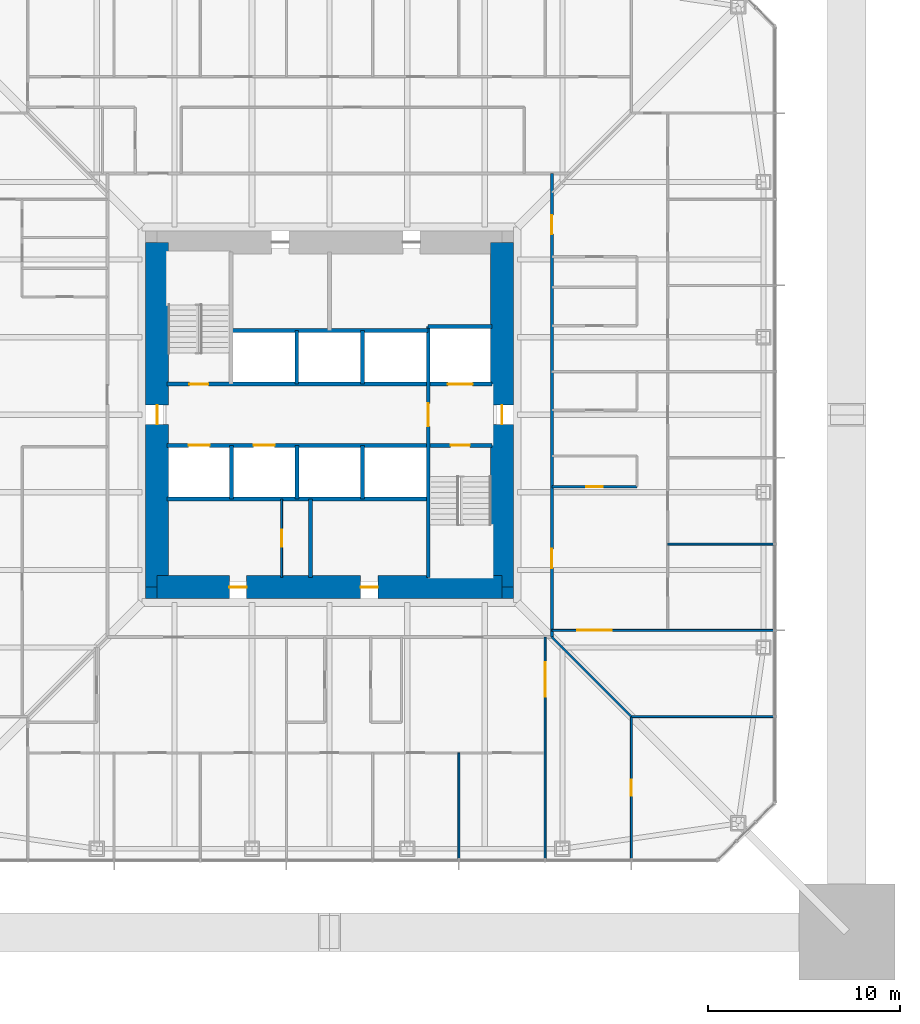
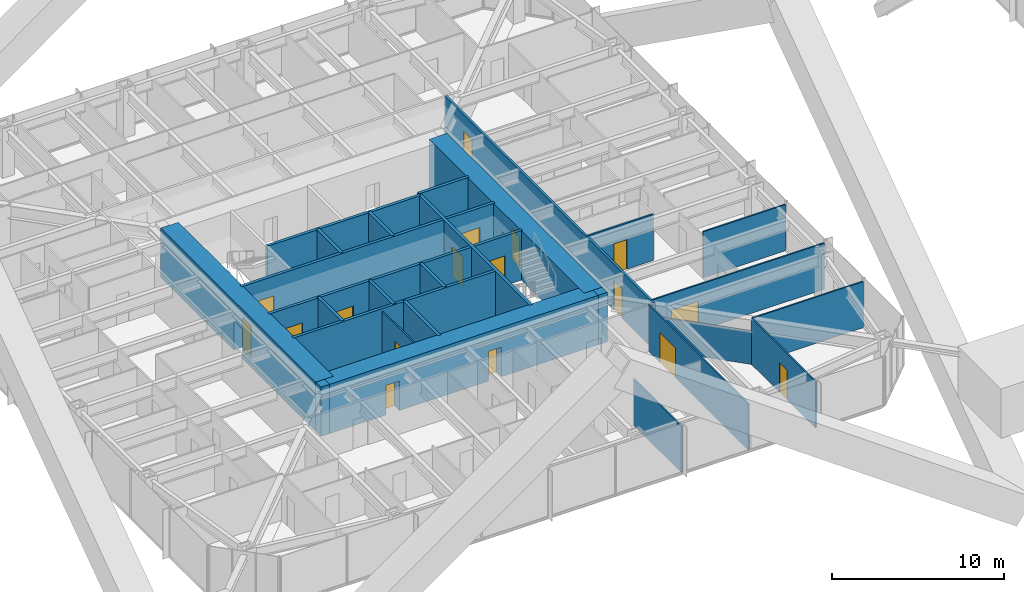
# One storey, part 17 of 28: 27 walls, 17 doors, 17 openings.
"""IFC4 building model written with IfcOpenShell, lengths in metres."""

from ifc_helpers import new_model, si_unit, direction, frame, frame_2d, origin, place, context, subcontext, project, spatial, rectangle, extrude, material, layer, layer_set, type_object, element, fill, save


model = new_model("IFC4")

# Units and contexts
model_context = context("Model", 3, precision=1e-05, world=origin(), true_north=direction((0.0, 1.0)))
body_context = subcontext(model_context, "Body", "Model", "MODEL_VIEW")
ifc_project = project(units=[si_unit("LENGTHUNIT", "METRE"), si_unit("AREAUNIT", "SQUARE_METRE"), si_unit("VOLUMEUNIT", "CUBIC_METRE"), si_unit("PLANEANGLEUNIT", "RADIAN"), si_unit("MASSUNIT", "GRAM", prefix="KILO")], contexts=[model_context])

# Site, building, storey
site_placement = place(None, origin())
site = spatial("IfcSite", under=ifc_project, at=site_placement, CompositionType="ELEMENT")
building_placement = place(site_placement, origin())
building = spatial("IfcBuilding", under=site, at=building_placement, Name="Iwan Alto Co-Living Towers", CompositionType="ELEMENT")
storey_placement = place(building_placement, frame((0.0, 0.0, 43.0)))
storey = spatial("IfcBuildingStorey", under=building, at=storey_placement, Name="L11", CompositionType="ELEMENT", Elevation=43.0)

# Wall, openings, doors
ifc_material_1 = material(Name="Gypsum board")
ifc_layer_1 = layer(ifc_material_1, 0.02490234375, Name="Board", Category="Finish")
ifc_material_2 = material(Name="Steel ASTM A1003 ST33H cold-formed studs", Category="steel")
ifc_layer_2 = layer(ifc_material_2, 0.10009765625, Name="Studs", Category="Framing")
ifc_layer_3 = layer(ifc_material_1, 0.02490234375, Name="Board", Category="Finish")
ifc_layer_set_1 = layer_set([ifc_layer_1, ifc_layer_2, ifc_layer_3], Name="CORRIDOR WALL 150")
wall_type_1 = type_object("IfcWallType", Name="CORRIDOR WALL 150", PredefinedType="PARTITIONING", material=ifc_layer_set_1)
wall_1_placement = place(storey_placement, frame((11.60009765625, -11.60009765625, 0.0), z_axis=(0.0, 0.0, 1.0), x_axis=(0.0, 1.0, 0.0)))
wall_1 = element("IfcWall", 1, at=wall_1_placement, inside=storey, type_object=wall_type_1, Name="Partition L11", PredefinedType="PARTITIONING", context=body_context, shape_type="SweptSolid", body=[
    extrude(rectangle(XDim=24.2001953125, YDim=0.14990234375, at=frame_2d((12.10009765625, 0.0))), origin(), (0.0, 0.0, 1.0), 3.27001953125),
])
opening_1_placement = place(wall_1_placement, frame((3.60009765625, 0.0, 0.0)))
opening_1 = element("IfcOpeningElement", 2, at=opening_1_placement, cuts=wall_1, Name="Opening D3", PredefinedType="OPENING", context=body_context, shape_type="SweptSolid", body=[
    extrude(rectangle(XDim=1.0, YDim=2.10009765625, at=frame_2d((0.5, 1.050048828125))), frame((0.0, 0.0849609375, 0.0), z_axis=(0.0, -1.0, 0.0), x_axis=(1.0, 0.0, 0.0)), (0.0, 0.0, 1.0), 0.169921875),
])
opening_2_placement = place(wall_1_placement, frame((21.02490234375, 0.0, 0.0)))
opening_2 = element("IfcOpeningElement", 3, at=opening_2_placement, cuts=wall_1, Name="Opening D3", PredefinedType="OPENING", context=body_context, shape_type="SweptSolid", body=[
    extrude(rectangle(XDim=1.0, YDim=2.10009765625, at=frame_2d((0.5, 1.050048828125))), frame((0.0, 0.0849609375, 0.0), z_axis=(0.0, -1.0, 0.0), x_axis=(1.0, 0.0, 0.0)), (0.0, 0.0, 1.0), 0.169921875),
])
ifc_material_3 = material(Name="Steel frame with timber leaf", Category="steel")
door_type_1 = type_object("IfcDoorType", Name="FLAT ENTRANCE DOOR FD30S 1000X2100", OperationType="SINGLE_SWING_LEFT", PredefinedType="DOOR", material=ifc_material_3)
door_1_placement = place(opening_1_placement, frame((1.0, 0.0, 0.0), z_axis=(0.0, 0.0, 1.0), x_axis=(-1.0, 0.0, 0.0)))
door_1 = element("IfcDoor", 4, at=door_1_placement, inside=storey, type_object=door_type_1, Name="Cluster lounge and shared kitchen door L11", OperationType="SINGLE_SWING_RIGHT", OverallHeight=2.10009765625, OverallWidth=1.0, PredefinedType="DOOR", context=body_context, shape_type="SweptSolid", body=[
    extrude(rectangle(XDim=1.0, YDim=2.10009765625, at=frame_2d((0.5, 1.050048828125))), frame((0.0, 0.02490234375, 0.0), z_axis=(0.0, -1.0, 0.0), x_axis=(1.0, 0.0, 0.0)), (0.0, 0.0, 1.0), 0.050048828125),
])
fill(opening_1, door_1)
door_2_placement = place(opening_2_placement, frame((1.0, 0.0, 0.0), z_axis=(0.0, 0.0, 1.0), x_axis=(-1.0, 0.0, 0.0)))
door_2 = element("IfcDoor", 5, at=door_2_placement, inside=storey, type_object=door_type_1, Name="Cluster lounge door L11", OperationType="SINGLE_SWING_RIGHT", OverallHeight=2.10009765625, OverallWidth=1.0, PredefinedType="DOOR", context=body_context, shape_type="SweptSolid", body=[
    extrude(rectangle(XDim=1.0, YDim=2.10009765625, at=frame_2d((0.5, 1.050048828125))), frame((0.0, 0.02490234375, 0.0), z_axis=(0.0, -1.0, 0.0), x_axis=(1.0, 0.0, 0.0)), (0.0, 0.0, 1.0), 0.050048828125),
])
fill(opening_2, door_2)

# Wall
ifc_layer_4 = layer(ifc_material_1, 0.012451171875, Name="Board", Category="Finish")
ifc_layer_5 = layer(ifc_material_2, 0.074951171875, Name="Studs", Category="Framing")
ifc_layer_6 = layer(ifc_material_1, 0.012451171875, Name="Board", Category="Finish")
ifc_layer_set_2 = layer_set([ifc_layer_4, ifc_layer_5, ifc_layer_6], Name="PARTITION 100")
wall_type_2 = type_object("IfcWallType", Name="PARTITION 100", PredefinedType="PARTITIONING", material=ifc_layer_set_2)
wall_2_placement = place(storey_placement, frame((15.75, -15.75, 0.0), z_axis=(0.0, 0.0, 1.0), x_axis=(1.0, 0.0, 0.0)))
element("IfcWall", 6, at=wall_2_placement, inside=storey, type_object=wall_type_2, Name="Partition L11", PredefinedType="PARTITIONING", context=body_context, shape_type="SweptSolid", body=[
    extrude(rectangle(XDim=7.43994140625, YDim=0.10009765625, at=frame_2d((3.719970703125, 0.0))), origin(), (0.0, 0.0, 1.0), 3.27001953125),
])

# Wall, opening, door
wall_3_placement = place(storey_placement, frame((11.60009765625, -11.25, 0.0), z_axis=(0.0, 0.0, 1.0), x_axis=(1.0, 0.0, 0.0)))
wall_3 = element("IfcWall", 7, at=wall_3_placement, inside=storey, type_object=wall_type_2, Name="Partition L11", PredefinedType="PARTITIONING", context=body_context, shape_type="SweptSolid", body=[
    extrude(rectangle(XDim=11.58984375, YDim=0.10009765625, at=frame_2d((5.794921875, 0.0))), origin(), (0.0, 0.0, 1.0), 3.27001953125),
])
opening_3_placement = place(wall_3_placement, frame((1.324951171875, 0.0, 0.0)))
opening_3 = element("IfcOpeningElement", 8, at=opening_3_placement, cuts=wall_3, Name="Opening D14", PredefinedType="OPENING", context=body_context, shape_type="SweptSolid", body=[
    extrude(rectangle(XDim=1.800048828125, YDim=2.10009765625, at=frame_2d((0.89990234375, 1.050048828125))), frame((0.0, 0.06005859375, 0.0), z_axis=(0.0, -1.0, 0.0), x_axis=(1.0, 0.0, 0.0)), (0.0, 0.0, 1.0), 0.1201171875),
])
ifc_material_4 = material(Name="Timber leaf in steel frame", Category="steel")
door_type_2 = type_object("IfcDoorType", Name="LOUNGE DOOR 1800X2100", OperationType="DOUBLE_DOOR_SINGLE_SWING", PredefinedType="DOOR", material=ifc_material_4)
door_3_placement = place(opening_3_placement, origin())
door_3 = element("IfcDoor", 9, at=door_3_placement, inside=storey, type_object=door_type_2, Name="Music practice room door L11", OperationType="DOUBLE_DOOR_SINGLE_SWING", OverallHeight=2.10009765625, OverallWidth=1.800048828125, PredefinedType="DOOR", context=body_context, shape_type="SweptSolid", body=[
    extrude(rectangle(XDim=1.800048828125, YDim=2.10009765625, at=frame_2d((0.89990234375, 1.050048828125))), frame((0.0, 0.02490234375, 0.0), z_axis=(0.0, -1.0, 0.0), x_axis=(1.0, 0.0, 0.0)), (0.0, 0.0, 1.0), 0.050048828125),
])
fill(opening_3, door_3)

# Wall
wall_4_placement = place(storey_placement, frame((17.64990234375, -6.75, 0.0), z_axis=(0.0, 0.0, 1.0), x_axis=(1.0, 0.0, 0.0)))
element("IfcWall", 10, at=wall_4_placement, inside=storey, type_object=wall_type_2, Name="Partition L11", PredefinedType="PARTITIONING", context=body_context, shape_type="SweptSolid", body=[
    extrude(rectangle(XDim=5.5400390625, YDim=0.10009765625, at=frame_2d((2.77001953125, 0.0))), origin(), (0.0, 0.0, 1.0), 3.27001953125),
])

# Wall, opening, door
wall_5_placement = place(storey_placement, frame((15.75, -23.18994140625, 0.0), z_axis=(0.0, 0.0, 1.0), x_axis=(0.0, 1.0, 0.0)))
wall_5 = element("IfcWall", 11, at=wall_5_placement, inside=storey, type_object=wall_type_2, Name="Partition L11", PredefinedType="PARTITIONING", context=body_context, shape_type="SweptSolid", body=[
    extrude(rectangle(XDim=7.43994140625, YDim=0.10009765625, at=frame_2d((3.719970703125, 0.0))), origin(), (0.0, 0.0, 1.0), 3.27001953125),
])
opening_4_placement = place(wall_5_placement, frame((3.294921875, 0.0, 0.0)))
opening_4 = element("IfcOpeningElement", 12, at=opening_4_placement, cuts=wall_5, Name="Opening D2", PredefinedType="OPENING", context=body_context, shape_type="SweptSolid", body=[
    extrude(rectangle(XDim=0.85009765625, YDim=2.10009765625, at=frame_2d((0.425048828125, 1.050048828125))), frame((0.0, 0.06005859375, 0.0), z_axis=(0.0, -1.0, 0.0), x_axis=(1.0, 0.0, 0.0)), (0.0, 0.0, 1.0), 0.1201171875),
])
ifc_material_5 = material(Name="Timber leaf in steel frame", Category="steel")
door_type_3 = type_object("IfcDoorType", Name="ROOM DOOR 850X2100", OperationType="SINGLE_SWING_LEFT", PredefinedType="DOOR", material=ifc_material_5)
door_4_placement = place(opening_4_placement, frame((0.85009765625, 0.0, 0.0), z_axis=(0.0, 0.0, 1.0), x_axis=(-1.0, 0.0, 0.0)))
door_4 = element("IfcDoor", 13, at=door_4_placement, inside=storey, type_object=door_type_3, Name="Shared kitchen and lounge door L11", OperationType="SINGLE_SWING_LEFT", OverallHeight=2.10009765625, OverallWidth=0.85009765625, PredefinedType="DOOR", context=body_context, shape_type="SweptSolid", body=[
    extrude(rectangle(XDim=0.85009765625, YDim=2.10009765625, at=frame_2d((0.425048828125, 1.050048828125))), frame((0.0, 0.02490234375, 0.0), z_axis=(0.0, -1.0, 0.0), x_axis=(1.0, 0.0, 0.0)), (0.0, 0.0, 1.0), 0.050048828125),
])
fill(opening_4, door_4)

wall_6_placement = place(storey_placement, frame((11.25, -23.18994140625, 0.0), z_axis=(0.0, 0.0, 1.0), x_axis=(0.0, 1.0, 0.0)))
wall_6 = element("IfcWall", 14, at=wall_6_placement, inside=storey, type_object=wall_type_2, Name="Partition L11", PredefinedType="PARTITIONING", context=body_context, shape_type="SweptSolid", body=[
    extrude(rectangle(XDim=11.58984375, YDim=0.10009765625, at=frame_2d((5.794921875, 0.0))), origin(), (0.0, 0.0, 1.0), 3.27001953125),
])
opening_5_placement = place(wall_6_placement, frame((8.465087890625, 0.0, 0.0)))
opening_5 = element("IfcOpeningElement", 15, at=opening_5_placement, cuts=wall_6, Name="Opening D14", PredefinedType="OPENING", context=body_context, shape_type="SweptSolid", body=[
    extrude(rectangle(XDim=1.800048828125, YDim=2.10009765625, at=frame_2d((0.89990234375, 1.050048828125))), frame((0.0, 0.06005859375, 0.0), z_axis=(0.0, -1.0, 0.0), x_axis=(1.0, 0.0, 0.0)), (0.0, 0.0, 1.0), 0.1201171875),
])
door_5_placement = place(opening_5_placement, origin())
door_5 = element("IfcDoor", 16, at=door_5_placement, inside=storey, type_object=door_type_2, Name="Games room door L11", OperationType="DOUBLE_DOOR_SINGLE_SWING", OverallHeight=2.10009765625, OverallWidth=1.800048828125, PredefinedType="DOOR", context=body_context, shape_type="SweptSolid", body=[
    extrude(rectangle(XDim=1.800048828125, YDim=2.10009765625, at=frame_2d((0.89990234375, 1.050048828125))), frame((0.0, 0.02490234375, 0.0), z_axis=(0.0, -1.0, 0.0), x_axis=(1.0, 0.0, 0.0)), (0.0, 0.0, 1.0), 0.050048828125),
])
fill(opening_5, door_5)

# Wall
wall_7_placement = place(storey_placement, frame((6.75, -23.18994140625, 0.0), z_axis=(0.0, 0.0, 1.0), x_axis=(0.0, 1.0, 0.0)))
element("IfcWall", 17, at=wall_7_placement, inside=storey, type_object=wall_type_2, Name="Partition L11", PredefinedType="PARTITIONING", context=body_context, shape_type="SweptSolid", body=[
    extrude(rectangle(XDim=5.5400390625, YDim=0.10009765625, at=frame_2d((2.77001953125, 0.0))), origin(), (0.0, 0.0, 1.0), 3.27001953125),
])

# Wall, opening, door
wall_8_placement = place(storey_placement, frame((-2.5, -8.489990234375, 0.0), z_axis=(0.0, 0.0, 1.0), x_axis=(0.0, 1.0, 0.0)))
wall_8 = element("IfcWall", 18, at=wall_8_placement, inside=storey, type_object=wall_type_2, Name="Partition L11", PredefinedType="PARTITIONING", context=body_context, shape_type="SweptSolid", body=[
    extrude(rectangle(XDim=4.090087890625, YDim=0.10009765625, at=frame_2d((2.044921875, 0.0))), origin(), (0.0, 0.0, 1.0), 3.300048828125),
])
opening_6_placement = place(wall_8_placement, frame((1.594970703125, 0.0, 0.0)))
opening_6 = element("IfcOpeningElement", 19, at=opening_6_placement, cuts=wall_8, Name="Opening D16", PredefinedType="OPENING", context=body_context, shape_type="SweptSolid", body=[
    extrude(rectangle(XDim=0.89990234375, YDim=2.10009765625, at=frame_2d((0.449951171875, 1.050048828125))), frame((0.0, 0.06005859375, 0.0), z_axis=(0.0, -1.0, 0.0), x_axis=(1.0, 0.0, 0.0)), (0.0, 0.0, 1.0), 0.1201171875),
])
ifc_material_6 = material(Name="Timber leaf in steel frame", Category="steel")
door_type_4 = type_object("IfcDoorType", Name="CUPBOARD SLIDING DOOR 900X2100", OperationType="SLIDING_TO_LEFT", PredefinedType="DOOR", material=ifc_material_6)
door_6_placement = place(opening_6_placement, origin())
door_6 = element("IfcDoor", 20, at=door_6_placement, inside=storey, type_object=door_type_4, Name="Bulky waste store door L11", OperationType="SLIDING_TO_LEFT", OverallHeight=2.10009765625, OverallWidth=0.89990234375, PredefinedType="DOOR", context=body_context, shape_type="SweptSolid", body=[
    extrude(rectangle(XDim=0.89990234375, YDim=2.10009765625, at=frame_2d((0.449951171875, 1.050048828125))), frame((0.0, 0.02490234375, 0.0), z_axis=(0.0, -1.0, 0.0), x_axis=(1.0, 0.0, 0.0)), (0.0, 0.0, 1.0), 0.050048828125),
])
fill(opening_6, door_6)

# Walls
wall_9_placement = place(storey_placement, frame((15.75, -15.75, 0.0), z_axis=(0.0, 0.0, 1.0), x_axis=(-0.707106781187, 0.707106781187, 0.0)))
element("IfcWall", 21, at=wall_9_placement, inside=storey, type_object=wall_type_2, Name="Partition L11", PredefinedType="PARTITIONING", context=body_context, shape_type="SweptSolid", body=[
    extrude(rectangle(XDim=5.868896484375, YDim=0.10009765625, at=frame_2d((2.9345703125, 0.0))), origin(), (0.0, 0.0, 1.0), 2.343017578125),
])
ifc_material_7 = material(Name="Concrete f'c 70 MPa", Category="concrete")
ifc_layer_7 = layer(ifc_material_7, 0.199951171875)
ifc_layer_set_3 = layer_set([ifc_layer_7], Name="SHAFT WALL 200")
wall_type_3 = type_object("IfcWallType", Name="SHAFT WALL 200", PredefinedType="SOLIDWALL", material=ifc_layer_set_3)
wall_10_placement = place(storey_placement, frame((-8.489990234375, -4.39990234375, 0.0), z_axis=(0.0, 0.0, 1.0), x_axis=(1.0, 0.0, 0.0)))
element("IfcWall", 22, at=wall_10_placement, inside=storey, type_object=wall_type_3, Name="Shaft wall L11", PredefinedType="SOLIDWALL", context=body_context, shape_type="SweptSolid", body=[
    extrude(rectangle(XDim=13.639892578125, YDim=0.199951171875, at=frame_2d((6.81982421875, 0.0))), origin(), (0.0, 0.0, 1.0), 3.5),
])

# Wall, openings, doors
wall_11_placement = place(storey_placement, frame((-8.489990234375, -1.60009765625, 0.0), z_axis=(0.0, 0.0, 1.0), x_axis=(1.0, 0.0, 0.0)))
wall_11 = element("IfcWall", 23, at=wall_11_placement, inside=storey, type_object=wall_type_3, Name="Shaft wall L11", PredefinedType="SOLIDWALL", context=body_context, shape_type="SweptSolid", body=[
    extrude(rectangle(XDim=16.97998046875, YDim=0.199951171875, at=frame_2d((8.489990234375, 0.0))), origin(), (0.0, 0.0, 1.0), 3.5),
])
opening_7_placement = place(wall_11_placement, frame((14.81005859375, 0.0, 0.0)))
opening_7 = element("IfcOpeningElement", 24, at=opening_7_placement, cuts=wall_11, Name="Opening D5", PredefinedType="OPENING", context=body_context, shape_type="SweptSolid", body=[
    extrude(rectangle(XDim=1.0, YDim=2.10009765625, at=frame_2d((0.5, 1.050048828125))), frame((0.0, 0.10986328125, 0.0), z_axis=(0.0, -1.0, 0.0), x_axis=(1.0, 0.0, 0.0)), (0.0, 0.0, 1.0), 0.219970703125),
])
opening_8_placement = place(wall_11_placement, frame((1.133056640625, 0.0, 0.0)))
opening_8 = element("IfcOpeningElement", 25, at=opening_8_placement, cuts=wall_11, Name="Opening LD", PredefinedType="OPENING", context=body_context, shape_type="SweptSolid", body=[
    extrude(rectangle(XDim=1.10009765625, YDim=2.10009765625, at=frame_2d((0.550048828125, 1.050048828125))), frame((0.0, 0.10986328125, 0.0), z_axis=(0.0, -1.0, 0.0), x_axis=(1.0, 0.0, 0.0)), (0.0, 0.0, 1.0), 0.219970703125),
])
opening_9_placement = place(wall_11_placement, frame((4.528076171875, 0.0, 0.0)))
opening_9 = element("IfcOpeningElement", 26, at=opening_9_placement, cuts=wall_11, Name="Opening LD", PredefinedType="OPENING", context=body_context, shape_type="SweptSolid", body=[
    extrude(rectangle(XDim=1.10009765625, YDim=2.10009765625, at=frame_2d((0.550048828125, 1.050048828125))), frame((0.0, 0.10986328125, 0.0), z_axis=(0.0, -1.0, 0.0), x_axis=(1.0, 0.0, 0.0)), (0.0, 0.0, 1.0), 0.219970703125),
])
ifc_material_8 = material(Name="Steel frame with timber leaf", Category="steel")
door_type_5 = type_object("IfcDoorType", Name="LIFT LANDING DOOR 1100X2100", OperationType="DOUBLE_DOOR_SLIDING", PredefinedType="DOOR", material=ifc_material_8)
door_7_placement = place(opening_8_placement, origin())
door_7 = element("IfcDoor", 27, at=door_7_placement, inside=storey, type_object=door_type_5, Name="Lift P1-1 landing door L11", OperationType="DOUBLE_DOOR_SLIDING", OverallHeight=2.10009765625, OverallWidth=1.10009765625, PredefinedType="DOOR", context=body_context, shape_type="SweptSolid", body=[
    extrude(rectangle(XDim=1.10009765625, YDim=2.10009765625, at=frame_2d((0.550048828125, 1.050048828125))), frame((0.0, 0.02490234375, 0.0), z_axis=(0.0, -1.0, 0.0), x_axis=(1.0, 0.0, 0.0)), (0.0, 0.0, 1.0), 0.050048828125),
])
fill(opening_8, door_7)
door_8_placement = place(opening_9_placement, origin())
door_8 = element("IfcDoor", 28, at=door_8_placement, inside=storey, type_object=door_type_5, Name="Lift P1-2 landing door L11", OperationType="DOUBLE_DOOR_SLIDING", OverallHeight=2.10009765625, OverallWidth=1.10009765625, PredefinedType="DOOR", context=body_context, shape_type="SweptSolid", body=[
    extrude(rectangle(XDim=1.10009765625, YDim=2.10009765625, at=frame_2d((0.550048828125, 1.050048828125))), frame((0.0, 0.02490234375, 0.0), z_axis=(0.0, -1.0, 0.0), x_axis=(1.0, 0.0, 0.0)), (0.0, 0.0, 1.0), 0.050048828125),
])
fill(opening_9, door_8)
ifc_material_9 = material(Name="Steel frame with timber leaf", Category="steel")
door_type_6 = type_object("IfcDoorType", Name="STAIR DOOR FD120S 1000X2100", OperationType="SINGLE_SWING_LEFT", PredefinedType="DOOR", material=ifc_material_9)
door_9_placement = place(opening_7_placement, frame((1.0, 0.0, 0.0), z_axis=(0.0, 0.0, 1.0), x_axis=(-1.0, 0.0, 0.0)))
door_9 = element("IfcDoor", 29, at=door_9_placement, inside=storey, type_object=door_type_6, Name="Stair S2 door L11", OperationType="SINGLE_SWING_RIGHT", OverallHeight=2.10009765625, OverallWidth=1.0, PredefinedType="DOOR", context=body_context, shape_type="SweptSolid", body=[
    extrude(rectangle(XDim=1.0, YDim=2.10009765625, at=frame_2d((0.5, 1.050048828125))), frame((0.0, 0.02490234375, 0.0), z_axis=(0.0, -1.0, 0.0), x_axis=(1.0, 0.0, 0.0)), (0.0, 0.0, 1.0), 0.050048828125),
])
fill(opening_7, door_9)

wall_12_placement = place(storey_placement, frame((-8.489990234375, 1.60009765625, 0.0), z_axis=(0.0, 0.0, 1.0), x_axis=(1.0, 0.0, 0.0)))
wall_12 = element("IfcWall", 30, at=wall_12_placement, inside=storey, type_object=wall_type_3, Name="Shaft wall L11", PredefinedType="SOLIDWALL", context=body_context, shape_type="SweptSolid", body=[
    extrude(rectangle(XDim=16.97998046875, YDim=0.199951171875, at=frame_2d((8.489990234375, 0.0))), origin(), (0.0, 0.0, 1.0), 3.5),
])
opening_10_placement = place(wall_12_placement, frame((1.169921875, 0.0, 0.0)))
opening_10 = element("IfcOpeningElement", 31, at=opening_10_placement, cuts=wall_12, Name="Opening D5", PredefinedType="OPENING", context=body_context, shape_type="SweptSolid", body=[
    extrude(rectangle(XDim=1.0, YDim=2.10009765625, at=frame_2d((0.5, 1.050048828125))), frame((0.0, 0.10986328125, 0.0), z_axis=(0.0, -1.0, 0.0), x_axis=(1.0, 0.0, 0.0)), (0.0, 0.0, 1.0), 0.219970703125),
])
opening_11_placement = place(wall_12_placement, frame((14.659912109375, 0.0, 0.0)))
opening_11 = element("IfcOpeningElement", 32, at=opening_11_placement, cuts=wall_12, Name="Opening LD2", PredefinedType="OPENING", context=body_context, shape_type="SweptSolid", body=[
    extrude(rectangle(XDim=1.300048828125, YDim=2.10009765625, at=frame_2d((0.64990234375, 1.050048828125))), frame((0.0, 0.10986328125, 0.0), z_axis=(0.0, -1.0, 0.0), x_axis=(1.0, 0.0, 0.0)), (0.0, 0.0, 1.0), 0.219970703125),
])
ifc_material_10 = material(Name="Steel frame with timber leaf", Category="steel")
door_type_7 = type_object("IfcDoorType", Name="LIFT LANDING DOOR 1300X2100", OperationType="SLIDING_TO_LEFT", PredefinedType="DOOR", material=ifc_material_10)
door_10_placement = place(opening_11_placement, origin())
door_10 = element("IfcDoor", 33, at=door_10_placement, inside=storey, type_object=door_type_7, Name="Lift FL1 landing door L11", OperationType="SLIDING_TO_LEFT", OverallHeight=2.10009765625, OverallWidth=1.300048828125, PredefinedType="DOOR", context=body_context, shape_type="SweptSolid", body=[
    extrude(rectangle(XDim=1.300048828125, YDim=2.10009765625, at=frame_2d((0.64990234375, 1.050048828125))), frame((0.0, 0.02490234375, 0.0), z_axis=(0.0, -1.0, 0.0), x_axis=(1.0, 0.0, 0.0)), (0.0, 0.0, 1.0), 0.050048828125),
])
fill(opening_11, door_10)
door_11_placement = place(opening_10_placement, origin())
door_11 = element("IfcDoor", 34, at=door_11_placement, inside=storey, type_object=door_type_6, Name="Stair S1 door L11", OperationType="SINGLE_SWING_RIGHT", OverallHeight=2.10009765625, OverallWidth=1.0, PredefinedType="DOOR", context=body_context, shape_type="SweptSolid", body=[
    extrude(rectangle(XDim=1.0, YDim=2.10009765625, at=frame_2d((0.5, 1.050048828125))), frame((0.0, 0.02490234375, 0.0), z_axis=(0.0, -1.0, 0.0), x_axis=(1.0, 0.0, 0.0)), (0.0, 0.0, 1.0), 0.050048828125),
])
fill(opening_10, door_11)

# Walls
wall_13_placement = place(storey_placement, frame((-5.14990234375, 4.39990234375, 0.0), z_axis=(0.0, 0.0, 1.0), x_axis=(1.0, 0.0, 0.0)))
element("IfcWall", 35, at=wall_13_placement, inside=storey, type_object=wall_type_3, Name="Shaft wall L11", PredefinedType="SOLIDWALL", context=body_context, shape_type="SweptSolid", body=[
    extrude(rectangle(XDim=10.2998046875, YDim=0.199951171875, at=frame_2d((5.14990234375, 0.0))), origin(), (0.0, 0.0, 1.0), 3.5),
])
wall_14_placement = place(storey_placement, frame((5.14990234375, 4.60009765625, 0.0), z_axis=(0.0, 0.0, 1.0), x_axis=(1.0, 0.0, 0.0)))
element("IfcWall", 36, at=wall_14_placement, inside=storey, type_object=wall_type_3, Name="Shaft wall L11", PredefinedType="SOLIDWALL", context=body_context, shape_type="SweptSolid", body=[
    extrude(rectangle(XDim=3.340087890625, YDim=0.199951171875, at=frame_2d((1.669921875, 0.0))), origin(), (0.0, 0.0, 1.0), 3.5),
])

# Wall, opening, door
wall_15_placement = place(storey_placement, frame((5.14990234375, -8.489990234375, 0.0), z_axis=(0.0, 0.0, 1.0), x_axis=(0.0, 1.0, 0.0)))
wall_15 = element("IfcWall", 37, at=wall_15_placement, inside=storey, type_object=wall_type_3, Name="Shaft wall L11", PredefinedType="SOLIDWALL", context=body_context, shape_type="SweptSolid", body=[
    extrude(rectangle(XDim=13.090087890625, YDim=0.199951171875, at=frame_2d((6.544921875, 0.0))), origin(), (0.0, 0.0, 1.0), 3.5),
])
opening_12_placement = place(wall_15_placement, frame((7.889892578125, 0.0, 0.0)))
opening_12 = element("IfcOpeningElement", 38, at=opening_12_placement, cuts=wall_15, Name="Opening D6", PredefinedType="OPENING", context=body_context, shape_type="SweptSolid", body=[
    extrude(rectangle(XDim=1.199951171875, YDim=2.10009765625, at=frame_2d((0.60009765625, 1.050048828125))), frame((0.0, 0.10986328125, 0.0), z_axis=(0.0, -1.0, 0.0), x_axis=(1.0, 0.0, 0.0)), (0.0, 0.0, 1.0), 0.219970703125),
])
ifc_material_11 = material(Name="Steel frame with timber leaf", Category="steel")
door_type_8 = type_object("IfcDoorType", Name="LOBBY DOOR FD120S 1200X2100", OperationType="SINGLE_SWING_LEFT", PredefinedType="DOOR", material=ifc_material_11)
door_12_placement = place(opening_12_placement, frame((1.199951171875, 0.0, 0.0), z_axis=(0.0, 0.0, 1.0), x_axis=(-1.0, 0.0, 0.0)))
door_12 = element("IfcDoor", 39, at=door_12_placement, inside=storey, type_object=door_type_8, Name="Firefighting lobby door L11", OperationType="SINGLE_SWING_RIGHT", OverallHeight=2.10009765625, OverallWidth=1.199951171875, PredefinedType="DOOR", context=body_context, shape_type="SweptSolid", body=[
    extrude(rectangle(XDim=1.199951171875, YDim=2.10009765625, at=frame_2d((0.60009765625, 1.050048828125))), frame((0.0, 0.02490234375, 0.0), z_axis=(0.0, -1.0, 0.0), x_axis=(1.0, 0.0, 0.0)), (0.0, 0.0, 1.0), 0.050048828125),
])
fill(opening_12, door_12)

# Walls
for number, where, z_axis, x_axis, name in (
    (40, (1.72509765625, -4.39990234375, 0.0), (0.0, 0.0, 1.0), (0.0, 1.0, 0.0), "Shaft wall L11"),
    (41, (1.717041015625, 1.60009765625, 0.0), (0.0, 0.0, 1.0), (0.0, 1.0, 0.0), "Shaft wall L11"),
):
    element("IfcWall", number, at=place(storey_placement, frame(where, z_axis=z_axis, x_axis=x_axis)), inside=storey, type_object=wall_type_3, Name=name, PredefinedType="SOLIDWALL", context=body_context, shape_type="SweptSolid", body=[
        extrude(rectangle(XDim=2.7998046875, YDim=0.199951171875, at=frame_2d((1.39990234375, 0.0))), origin(), (0.0, 0.0, 1.0), 3.5),
    ])
wall_16_placement = place(storey_placement, frame((-1.0, -8.489990234375, 0.0), z_axis=(0.0, 0.0, 1.0), x_axis=(0.0, 1.0, 0.0)))
element("IfcWall", 42, at=wall_16_placement, inside=storey, type_object=wall_type_3, Name="Shaft wall L11", PredefinedType="SOLIDWALL", context=body_context, shape_type="SweptSolid", body=[
    extrude(rectangle(XDim=4.090087890625, YDim=0.199951171875, at=frame_2d((2.044921875, 0.0))), origin(), (0.0, 0.0, 1.0), 3.5),
])
for number, where, z_axis, x_axis, name in (
    (43, (-1.699951171875, -4.39990234375, 0.0), (0.0, 0.0, 1.0), (0.0, 1.0, 0.0), "Shaft wall L11"),
    (44, (-1.717041015625, 1.60009765625, 0.0), (0.0, 0.0, 1.0), (0.0, 1.0, 0.0), "Shaft wall L11"),
    (45, (-5.125, -4.39990234375, 0.0), (0.0, 0.0, 1.0), (0.0, 1.0, 0.0), "Shaft wall L11"),
):
    element("IfcWall", number, at=place(storey_placement, frame(where, z_axis=z_axis, x_axis=x_axis)), inside=storey, type_object=wall_type_3, Name=name, PredefinedType="SOLIDWALL", context=body_context, shape_type="SweptSolid", body=[
        extrude(rectangle(XDim=2.7998046875, YDim=0.199951171875, at=frame_2d((1.39990234375, 0.0))), origin(), (0.0, 0.0, 1.0), 3.5),
    ])
ifc_material_12 = material(Name="Concrete f'c 70 MPa", Category="concrete")
ifc_layer_8 = layer(ifc_material_12, 0.60009765625)
ifc_layer_set_4 = layer_set([ifc_layer_8], Name="T1 CORE CORNER FILL 600")
wall_type_4 = type_object("IfcWallType", Name="T1 CORE CORNER FILL 600", PredefinedType="SOLIDWALL", material=ifc_layer_set_4)
for number, where, z_axis, x_axis, name in (
    (46, (-9.60009765625, -9.300048828125, 0.0), (0.0, 0.0, 1.0), (1.0, 0.0, 0.0), "T1 core corner SW L11"),
    (47, (9.0, -9.300048828125, 0.0), (0.0, 0.0, 1.0), (1.0, 0.0, 0.0), "T1 core corner SE L11"),
):
    element("IfcWall", number, at=place(storey_placement, frame(where, z_axis=z_axis, x_axis=x_axis)), inside=storey, type_object=wall_type_4, Name=name, PredefinedType="SOLIDWALL", context=body_context, shape_type="SweptSolid", body=[
        extrude(rectangle(XDim=0.60009765625, YDim=0.60009765625, at=frame_2d((0.300048828125, 0.0))), origin(), (0.0, 0.0, 1.0), 3.5),
    ])

# Wall, openings, doors
ifc_material_13 = material(Name="Concrete f'c 70 MPa", Category="concrete")
ifc_layer_9 = layer(ifc_material_13, 1.199951171875)
ifc_layer_set_5 = layer_set([ifc_layer_9], Name="T1 CORE WALL 1200")
wall_type_5 = type_object("IfcWallType", Name="T1 CORE WALL 1200", PredefinedType="SHEAR", material=ifc_layer_set_5)
wall_17_placement = place(storey_placement, frame((-9.0, -9.0, 0.0), z_axis=(0.0, 0.0, 1.0), x_axis=(1.0, 0.0, 0.0)))
wall_17 = element("IfcWall", 48, at=wall_17_placement, inside=storey, type_object=wall_type_5, Name="T1 core wall S L11", PredefinedType="SHEAR", context=body_context, shape_type="SweptSolid", body=[
    extrude(rectangle(XDim=18.0, YDim=1.199951171875, at=frame_2d((9.0, 0.0))), origin(), (0.0, 0.0, 1.0), 3.5),
])
opening_13_placement = place(wall_17_placement, frame((3.77490234375, 0.0, 0.0)))
opening_13 = element("IfcOpeningElement", 49, at=opening_13_placement, cuts=wall_17, Name="Opening D8", PredefinedType="OPENING", context=body_context, shape_type="SweptSolid", body=[
    extrude(rectangle(XDim=0.89990234375, YDim=2.10009765625, at=frame_2d((0.449951171875, 1.050048828125))), frame((0.0, 0.60986328125, 0.0), z_axis=(0.0, -1.0, 0.0), x_axis=(1.0, 0.0, 0.0)), (0.0, 0.0, 1.0), 1.219970703125),
])
opening_14_placement = place(wall_17_placement, frame((10.625, 0.0, 0.0)))
opening_14 = element("IfcOpeningElement", 50, at=opening_14_placement, cuts=wall_17, Name="Opening D8", PredefinedType="OPENING", context=body_context, shape_type="SweptSolid", body=[
    extrude(rectangle(XDim=0.89990234375, YDim=2.10009765625, at=frame_2d((0.449951171875, 1.050048828125))), frame((0.0, 0.60986328125, 0.0), z_axis=(0.0, -1.0, 0.0), x_axis=(1.0, 0.0, 0.0)), (0.0, 0.0, 1.0), 1.219970703125),
])
ifc_material_14 = material(Name="Steel frame with timber leaf", Category="steel")
door_type_9 = type_object("IfcDoorType", Name="RISER DOOR FD120 900X2100", OperationType="SINGLE_SWING_LEFT", PredefinedType="DOOR", material=ifc_material_14)
door_13_placement = place(opening_13_placement, origin())
door_13 = element("IfcDoor", 51, at=door_13_placement, inside=storey, type_object=door_type_9, Name="Refuse room core door L11", OperationType="SINGLE_SWING_RIGHT", OverallHeight=2.10009765625, OverallWidth=0.89990234375, PredefinedType="DOOR", context=body_context, shape_type="SweptSolid", body=[
    extrude(rectangle(XDim=0.89990234375, YDim=2.10009765625, at=frame_2d((0.449951171875, 1.050048828125))), frame((0.0, 0.02490234375, 0.0), z_axis=(0.0, -1.0, 0.0), x_axis=(1.0, 0.0, 0.0)), (0.0, 0.0, 1.0), 0.050048828125),
])
fill(opening_13, door_13)
door_14_placement = place(opening_14_placement, origin())
door_14 = element("IfcDoor", 52, at=door_14_placement, inside=storey, type_object=door_type_9, Name="Telecom riser core door L11", OperationType="SINGLE_SWING_LEFT", OverallHeight=2.10009765625, OverallWidth=0.89990234375, PredefinedType="DOOR", context=body_context, shape_type="SweptSolid", body=[
    extrude(rectangle(XDim=0.89990234375, YDim=2.10009765625, at=frame_2d((0.449951171875, 1.050048828125))), frame((0.0, 0.02490234375, 0.0), z_axis=(0.0, -1.0, 0.0), x_axis=(1.0, 0.0, 0.0)), (0.0, 0.0, 1.0), 0.050048828125),
])
fill(opening_14, door_14)

# Wall, opening, door
wall_18_placement = place(storey_placement, frame((9.0, -9.0, 0.0), z_axis=(0.0, 0.0, 1.0), x_axis=(0.0, 1.0, 0.0)))
wall_18 = element("IfcWall", 53, at=wall_18_placement, inside=storey, type_object=wall_type_5, Name="T1 core wall E L11", PredefinedType="SHEAR", context=body_context, shape_type="SweptSolid", body=[
    extrude(rectangle(XDim=18.0, YDim=1.199951171875, at=frame_2d((9.0, 0.0))), origin(), (0.0, 0.0, 1.0), 3.5),
])
opening_15_placement = place(wall_18_placement, frame((8.5, 0.0, 0.0)))
opening_15 = element("IfcOpeningElement", 54, at=opening_15_placement, cuts=wall_18, Name="Opening D7", PredefinedType="OPENING", context=body_context, shape_type="SweptSolid", body=[
    extrude(rectangle(XDim=1.0, YDim=2.10009765625, at=frame_2d((0.5, 1.050048828125))), frame((0.0, 0.60986328125, 0.0), z_axis=(0.0, -1.0, 0.0), x_axis=(1.0, 0.0, 0.0)), (0.0, 0.0, 1.0), 1.219970703125),
])
ifc_material_15 = material(Name="Steel frame with timber leaf", Category="steel")
door_type_10 = type_object("IfcDoorType", Name="CORE DOOR FD120S 1000X2100", OperationType="SINGLE_SWING_LEFT", PredefinedType="DOOR", material=ifc_material_15)
door_15_placement = place(opening_15_placement, origin())
door_15 = element("IfcDoor", 55, at=door_15_placement, inside=storey, type_object=door_type_10, Name="Firefighting lobby core door L11", OperationType="SINGLE_SWING_LEFT", OverallHeight=2.10009765625, OverallWidth=1.0, PredefinedType="DOOR", context=body_context, shape_type="SweptSolid", body=[
    extrude(rectangle(XDim=1.0, YDim=2.10009765625, at=frame_2d((0.5, 1.050048828125))), frame((0.0, 0.02490234375, 0.0), z_axis=(0.0, -1.0, 0.0), x_axis=(1.0, 0.0, 0.0)), (0.0, 0.0, 1.0), 0.050048828125),
])
fill(opening_15, door_15)

wall_19_placement = place(storey_placement, frame((-9.0, 9.0, 0.0), z_axis=(0.0, 0.0, 1.0), x_axis=(0.0, -1.0, 0.0)))
wall_19 = element("IfcWall", 56, at=wall_19_placement, inside=storey, type_object=wall_type_5, Name="T1 core wall W L11", PredefinedType="SHEAR", context=body_context, shape_type="SweptSolid", body=[
    extrude(rectangle(XDim=18.0, YDim=1.199951171875, at=frame_2d((9.0, 0.0))), origin(), (0.0, 0.0, 1.0), 3.5),
])
opening_16_placement = place(wall_19_placement, frame((8.5, 0.0, 0.0)))
opening_16 = element("IfcOpeningElement", 57, at=opening_16_placement, cuts=wall_19, Name="Opening D7", PredefinedType="OPENING", context=body_context, shape_type="SweptSolid", body=[
    extrude(rectangle(XDim=1.0, YDim=2.10009765625, at=frame_2d((0.5, 1.050048828125))), frame((0.0, 0.60986328125, 0.0), z_axis=(0.0, -1.0, 0.0), x_axis=(1.0, 0.0, 0.0)), (0.0, 0.0, 1.0), 1.219970703125),
])
door_16_placement = place(opening_16_placement, origin())
door_16 = element("IfcDoor", 58, at=door_16_placement, inside=storey, type_object=door_type_10, Name="Lift lobby core door L11", OperationType="SINGLE_SWING_RIGHT", OverallHeight=2.10009765625, OverallWidth=1.0, PredefinedType="DOOR", context=body_context, shape_type="SweptSolid", body=[
    extrude(rectangle(XDim=1.0, YDim=2.10009765625, at=frame_2d((0.5, 1.050048828125))), frame((0.0, 0.02490234375, 0.0), z_axis=(0.0, -1.0, 0.0), x_axis=(1.0, 0.0, 0.0)), (0.0, 0.0, 1.0), 0.050048828125),
])
fill(opening_16, door_16)

ifc_material_16 = material(Name="Cement board")
ifc_layer_10 = layer(ifc_material_16, 0.012451171875, Name="Board", Category="Finish")
ifc_layer_11 = layer(ifc_material_2, 0.094970703125, Name="Studs", Category="Framing")
ifc_layer_12 = layer(ifc_material_16, 0.012451171875, Name="Board", Category="Finish")
ifc_layer_set_6 = layer_set([ifc_layer_10, ifc_layer_11, ifc_layer_12], Name="WET AREA PARTITION 120")
wall_type_6 = type_object("IfcWallType", Name="WET AREA PARTITION 120", PredefinedType="PARTITIONING", material=ifc_layer_set_6)
wall_20_placement = place(storey_placement, frame((11.60009765625, -3.75, 0.0), z_axis=(0.0, 0.0, 1.0), x_axis=(1.0, 0.0, 0.0)))
wall_20 = element("IfcWall", 59, at=wall_20_placement, inside=storey, type_object=wall_type_6, Name="Partition L11", PredefinedType="PARTITIONING", context=body_context, shape_type="SweptSolid", body=[
    extrude(rectangle(XDim=4.449951171875, YDim=0.1201171875, at=frame_2d((2.22509765625, 0.0))), origin(), (0.0, 0.0, 1.0), 3.27001953125),
])
opening_17_placement = place(wall_20_placement, frame((1.800048828125, 0.0, 0.0)))
opening_17 = element("IfcOpeningElement", 60, at=opening_17_placement, cuts=wall_20, Name="Opening D2", PredefinedType="OPENING", context=body_context, shape_type="SweptSolid", body=[
    extrude(rectangle(XDim=0.85009765625, YDim=2.10009765625, at=frame_2d((0.425048828125, 1.050048828125))), frame((0.0, 0.070068359375, 0.0), z_axis=(0.0, -1.0, 0.0), x_axis=(1.0, 0.0, 0.0)), (0.0, 0.0, 1.0), 0.14013671875),
])
door_17_placement = place(opening_17_placement, frame((0.85009765625, 0.0, 0.0), z_axis=(0.0, 0.0, 1.0), x_axis=(-1.0, 0.0, 0.0)))
door_17 = element("IfcDoor", 61, at=door_17_placement, inside=storey, type_object=door_type_3, Name="Accessible bathroom door L11", OperationType="SINGLE_SWING_RIGHT", OverallHeight=2.10009765625, OverallWidth=0.85009765625, PredefinedType="DOOR", context=body_context, shape_type="SweptSolid", body=[
    extrude(rectangle(XDim=0.85009765625, YDim=2.10009765625, at=frame_2d((0.425048828125, 1.050048828125))), frame((0.0, 0.02490234375, 0.0), z_axis=(0.0, -1.0, 0.0), x_axis=(1.0, 0.0, 0.0)), (0.0, 0.0, 1.0), 0.050048828125),
])
fill(opening_17, door_17)

save(model, "model.ifc")
